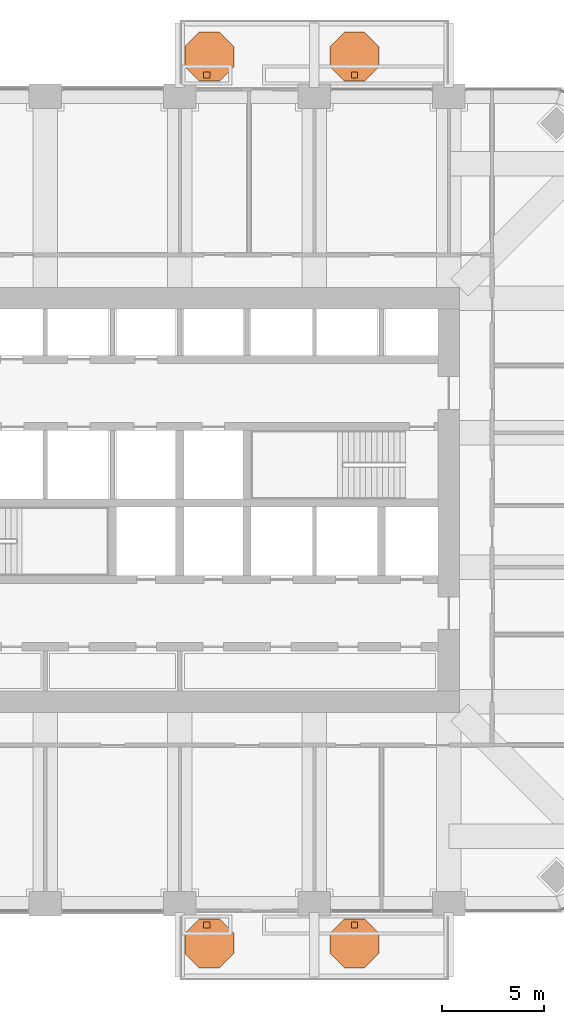
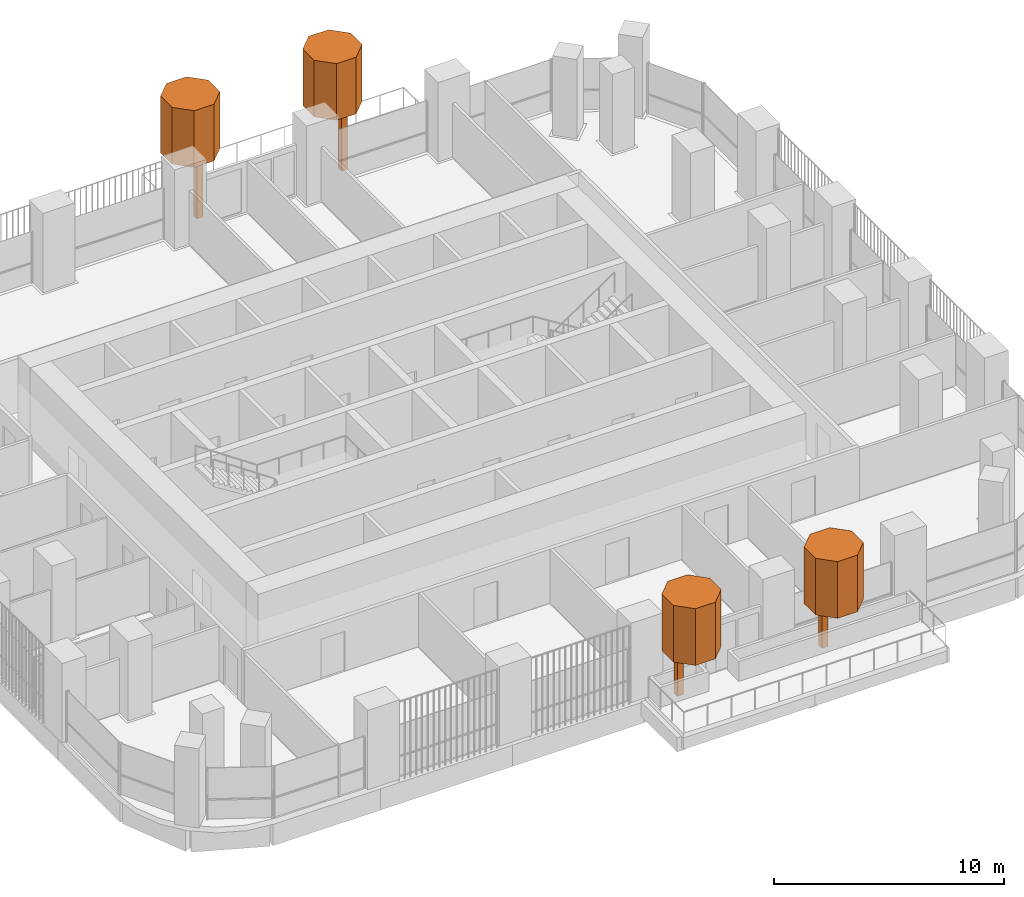
# One storey, part 20 of 20: 8 geographic elements.
"""IFC4 building model written with IfcOpenShell, lengths in metres."""

from ifc_helpers import new_model, si_unit, direction, frame, origin, origin_2d, place, context, subcontext, project, spatial, polyline, rectangle, outline, extrude, material, type_object, element, save


model = new_model("IFC4")

# Units and contexts
model_context = context("Model", 3, precision=1e-05, world=origin(), true_north=direction((0.0, 1.0)))
body_context = subcontext(model_context, "Body", "Model", "MODEL_VIEW")
ifc_project = project(units=[si_unit("LENGTHUNIT", "METRE"), si_unit("AREAUNIT", "SQUARE_METRE"), si_unit("VOLUMEUNIT", "CUBIC_METRE"), si_unit("PLANEANGLEUNIT", "RADIAN"), si_unit("MASSUNIT", "GRAM", prefix="KILO")], contexts=[model_context])

# Site, building, storey
site_placement = place(None, origin())
site = spatial("IfcSite", under=ifc_project, at=site_placement, CompositionType="ELEMENT")
building_placement = place(site_placement, origin())
building = spatial("IfcBuilding", under=site, at=building_placement, Name="Cobogo Forest Laboratory Tower", CompositionType="ELEMENT")
storey_placement = place(building_placement, frame((0.0, 0.0, 189.300048828125)))
storey = spatial("IfcBuildingStorey", under=building, at=storey_placement, Name="L43", CompositionType="ELEMENT", Elevation=189.300048828125)

# Geographic elements
ifc_material = material(Name="Planting", Category="plant")
geographic_element_type_1 = type_object("IfcGeographicElementType", Name="Tree trunk 300", PredefinedType="USERDEFINED", material=ifc_material)
for number, where, z_axis, x_axis, name in (
    (1, (27.72509765625, 2.25, 0.0), (0.0, 0.0, 1.0), (1.0, 0.0, 0.0), "Tree trunk BAL-S1-PL1 L43"),
    (2, (34.97509765625, 2.25, 0.0), (0.0, 0.0, 1.0), (1.0, 0.0, 0.0), "Tree trunk BAL-S1-PL2 L43"),
    (3, (27.72509765625, 43.949951171875, 0.0), (0.0, 0.0, 1.0), (1.0, 0.0, 0.0), "Tree trunk BAL-N1-PL1 L43"),
    (4, (34.97509765625, 43.949951171875, 0.0), (0.0, 0.0, 1.0), (1.0, 0.0, 0.0), "Tree trunk BAL-N1-PL2 L43"),
):
    element("IfcGeographicElement", number, at=place(storey_placement, frame(where, z_axis=z_axis, x_axis=x_axis)), inside=storey, type_object=geographic_element_type_1, Name=name, ObjectType="TREE TRUNK", PredefinedType="USERDEFINED", context=body_context, shape_type="SweptSolid", body=[
        extrude(rectangle(XDim=0.300048828125, YDim=0.300048828125, at=origin_2d()), origin(), (0.0, 0.0, 1.0), 2.89990234375),
    ])
geographic_element_type_2 = type_object("IfcGeographicElementType", Name="Tree, holm oak 5 m", PredefinedType="USERDEFINED", material=ifc_material)
geographic_element_1_placement = place(storey_placement, frame((0.0, 0.0, 2.89990234375)))
element("IfcGeographicElement", 5, at=geographic_element_1_placement, inside=storey, type_object=geographic_element_type_2, Name="Holm tree BAL-S1-PL1 L43", ObjectType="TREE", PredefinedType="USERDEFINED", context=body_context, shape_type="SweptSolid", body=[
    extrude(outline(polyline([(29.050048828125, 0.85302734375), (29.050048828125, 1.84716796875), (28.34716796875, 2.550048828125), (27.35302734375, 2.550048828125), (26.64990234375, 1.84716796875), (26.64990234375, 0.85302734375), (27.35302734375, 0.14990234375), (28.34716796875, 0.14990234375), (29.050048828125, 0.85302734375)])), origin(), (0.0, 0.0, 1.0), 3.0),
])
geographic_element_2_placement = place(storey_placement, frame((0.0, 0.0, 2.89990234375)))
element("IfcGeographicElement", 6, at=geographic_element_2_placement, inside=storey, type_object=geographic_element_type_2, Name="Holm tree BAL-S1-PL2 L43", ObjectType="TREE", PredefinedType="USERDEFINED", context=body_context, shape_type="SweptSolid", body=[
    extrude(outline(polyline([(36.175048828125, 0.85302734375), (36.175048828125, 1.84716796875), (35.47216796875, 2.550048828125), (34.47802734375, 2.550048828125), (33.77490234375, 1.84716796875), (33.77490234375, 0.85302734375), (34.47802734375, 0.14990234375), (35.47216796875, 0.14990234375), (36.175048828125, 0.85302734375)])), origin(), (0.0, 0.0, 1.0), 3.0),
])
geographic_element_3_placement = place(storey_placement, frame((0.0, 0.0, 2.89990234375)))
element("IfcGeographicElement", 7, at=geographic_element_3_placement, inside=storey, type_object=geographic_element_type_2, Name="Holm tree BAL-N1-PL1 L43", ObjectType="TREE", PredefinedType="USERDEFINED", context=body_context, shape_type="SweptSolid", body=[
    extrude(outline(polyline([(29.050048828125, 44.35302734375), (29.050048828125, 45.34716796875), (28.34716796875, 46.050048828125), (27.35302734375, 46.050048828125), (26.64990234375, 45.34716796875), (26.64990234375, 44.35302734375), (27.35302734375, 43.64990234375), (28.34716796875, 43.64990234375), (29.050048828125, 44.35302734375)])), origin(), (0.0, 0.0, 1.0), 3.0),
])
geographic_element_4_placement = place(storey_placement, frame((0.0, 0.0, 2.89990234375)))
element("IfcGeographicElement", 8, at=geographic_element_4_placement, inside=storey, type_object=geographic_element_type_2, Name="Holm tree BAL-N1-PL2 L43", ObjectType="TREE", PredefinedType="USERDEFINED", context=body_context, shape_type="SweptSolid", body=[
    extrude(outline(polyline([(36.175048828125, 44.35302734375), (36.175048828125, 45.34716796875), (35.47216796875, 46.050048828125), (34.47802734375, 46.050048828125), (33.77490234375, 45.34716796875), (33.77490234375, 44.35302734375), (34.47802734375, 43.64990234375), (35.47216796875, 43.64990234375), (36.175048828125, 44.35302734375)])), origin(), (0.0, 0.0, 1.0), 3.0),
])

save(model, "model.ifc")
